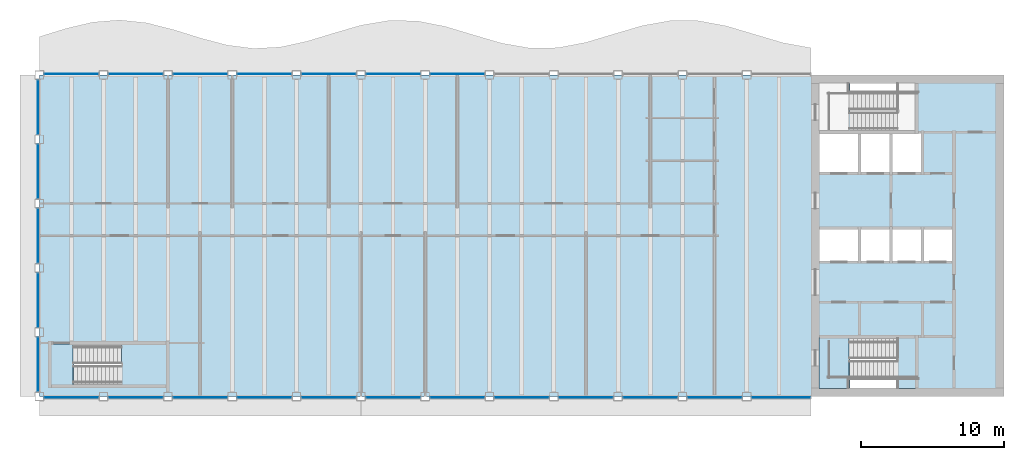
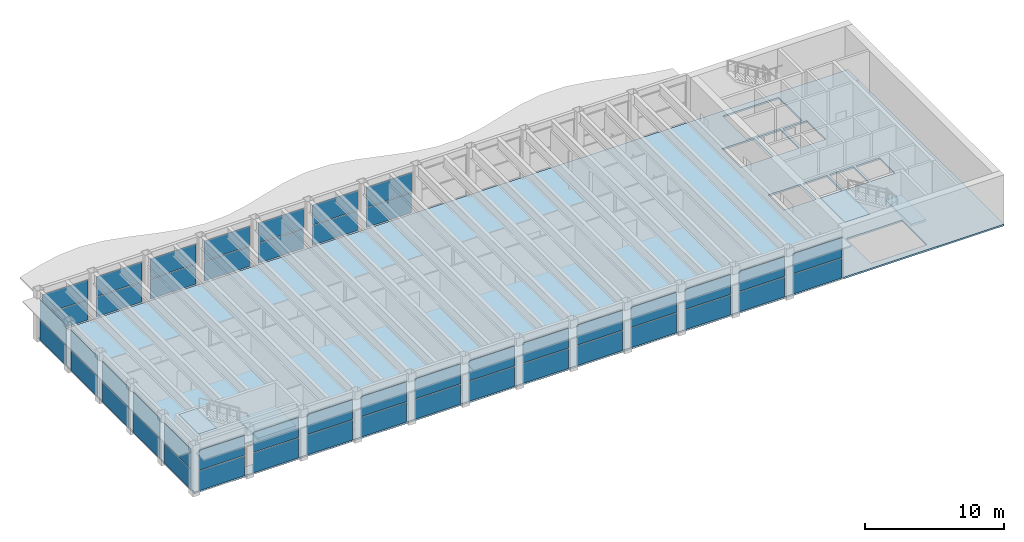
# One storey, part 7 of 15: 48 plates, 5 slabs, 26 elements without a shape of their own.
"""IFC4 building model written with IfcOpenShell, lengths in metres."""

from ifc_helpers import new_model, si_unit, direction, frame, origin, origin_2d, place, context, subcontext, project, spatial, polyline, rectangle, outline, extrude, material, layer, layer_set, type_object, element, aggregate, save


model = new_model("IFC4")

# Units and contexts
model_context = context("Model", 3, precision=1e-05, world=origin(), true_north=direction((0.0, 1.0)))
body_context = subcontext(model_context, "Body", "Model", "MODEL_VIEW")
ifc_project = project(units=[si_unit("LENGTHUNIT", "METRE"), si_unit("AREAUNIT", "SQUARE_METRE"), si_unit("VOLUMEUNIT", "CUBIC_METRE"), si_unit("PLANEANGLEUNIT", "RADIAN"), si_unit("MASSUNIT", "GRAM", prefix="KILO")], contexts=[model_context])

# Site, building, storey
site_placement = place(None, origin())
site = spatial("IfcSite", under=ifc_project, at=site_placement, CompositionType="ELEMENT")
building_placement = place(site_placement, origin())
building = spatial("IfcBuilding", under=site, at=building_placement, Name="Sennacour Bend Tower", CompositionType="ELEMENT")
storey_placement = place(building_placement, frame((0.0, 0.0, 323.0)))
storey = spatial("IfcBuildingStorey", under=building, at=storey_placement, Name="L74", CompositionType="ELEMENT", Elevation=323.0)

# Slab
ifc_material_1 = material(Name="Concrete C30/37", Category="concrete")
ifc_layer_1 = layer(ifc_material_1, 0.14990234375, Name="Concrete C30/37", Category="concrete")
ifc_layer_set_1 = layer_set([ifc_layer_1], Name="Concrete C30/37")
slab_type_1 = type_object("IfcSlabType", Name="Floor slab 150", PredefinedType="FLOOR", material=ifc_layer_set_1)
slab_1_placement = place(storey_placement, frame((0.0, 0.0, -0.14990234375)))
element("IfcSlab", 1, at=slab_1_placement, inside=storey, type_object=slab_type_1, Name="Floor slab L74-01", PredefinedType="FLOOR", context=body_context, shape_type="SweptSolid", body=[
    extrude(outline(polyline([(0.0, 22.5), (22.5, 22.5), (54.0, 22.5), (67.5, 22.5), (67.5, 0.0), (54.0, 0.0), (22.5, 0.0), (0.0, 0.0), (0.0, 22.5)]), holes=[polyline([(8.800048828125, 3.5), (2.429931640625, 3.5), (2.429931640625, 0.949951171875), (8.800048828125, 0.949951171875), (8.800048828125, 3.5)]), polyline([(61.39990234375, 4.125), (56.72998046875, 4.125), (56.72998046875, 0.550048828125), (61.39990234375, 0.550048828125), (61.39990234375, 4.125)]), polyline([(57.300048828125, 11.699951171875), (54.60009765625, 11.699951171875), (54.60009765625, 9.5), (57.300048828125, 9.5), (57.300048828125, 11.699951171875)]), polyline([(59.5, 9.5), (59.5, 11.699951171875), (57.5, 11.699951171875), (57.5, 9.5), (59.5, 9.5)]), polyline([(61.699951171875, 9.5), (61.699951171875, 11.699951171875), (59.699951171875, 11.699951171875), (59.699951171875, 9.5), (61.699951171875, 9.5)]), polyline([(63.89990234375, 11.699951171875), (61.89990234375, 11.699951171875), (61.89990234375, 9.5), (63.89990234375, 9.5), (63.89990234375, 11.699951171875)]), polyline([(57.300048828125, 18.39990234375), (54.60009765625, 18.39990234375), (54.60009765625, 15.699951171875), (57.300048828125, 15.699951171875), (57.300048828125, 18.39990234375)]), polyline([(59.5, 18.39990234375), (57.5, 18.39990234375), (57.5, 15.699951171875), (59.5, 15.699951171875), (59.5, 18.39990234375)]), polyline([(61.699951171875, 15.699951171875), (61.699951171875, 18.39990234375), (59.699951171875, 18.39990234375), (59.699951171875, 15.699951171875), (61.699951171875, 15.699951171875)]), polyline([(61.39990234375, 18.574951171875), (61.39990234375, 21.949951171875), (56.72998046875, 21.949951171875), (56.72998046875, 18.574951171875), (61.39990234375, 18.574951171875)])]), origin(), (0.0, 0.0, 1.0), 0.14990234375),
])

# Curtain wall, plates
ifc_material_2 = material(Name="Bronze anodised aluminium curtain wall with clear glass", Category="aluminium")
curtain_wall_type = type_object("IfcCurtainWallType", Name="CURTAIN WALL EXEC", PredefinedType="NOTDEFINED", material=ifc_material_2)
curtain_wall_1_placement = place(storey_placement, origin())
curtain_wall_1 = element("IfcCurtainWall", 2, at=curtain_wall_1_placement, inside=storey, type_object=curtain_wall_type, Name="Executive floor glass wall L74", PredefinedType="NOTDEFINED")
ifc_material_3 = material(Name="Clear low-emissivity glass", Category="glass")
ifc_layer_2 = layer(ifc_material_3, 0.031982421875, Name="Clear low-emissivity glass", Category="glass")
ifc_layer_set_2 = layer_set([ifc_layer_2], Name="Clear low-emissivity glass")
plate_type = type_object("IfcPlateType", Name="PNL-GLASS-IGU32", PredefinedType="CURTAIN_PANEL", material=ifc_layer_set_2)
plate_1_placement = place(storey_placement, frame((2.25, -0.074951171875, 0.06005859375), z_axis=(0.0, 0.0, 1.0), x_axis=(1.0, 0.0, 0.0)))
plate_1 = element("IfcPlate", 3, at=plate_1_placement, type_object=plate_type, Name="GW3 curtain wall panel 1.1", PredefinedType="CURTAIN_PANEL", context=body_context, shape_type="SweptSolid", body=[
    extrude(rectangle(XDim=3.780029296875, YDim=0.031982421875, at=origin_2d()), origin(), (0.0, 0.0, 1.0), 1.74609375),
])
plate_2_placement = place(storey_placement, frame((2.25, -0.074951171875, 1.865966796875), z_axis=(0.0, 0.0, 1.0), x_axis=(1.0, 0.0, 0.0)))
plate_2 = element("IfcPlate", 4, at=plate_2_placement, type_object=plate_type, Name="GW3 curtain wall panel 1.2", PredefinedType="CURTAIN_PANEL", context=body_context, shape_type="SweptSolid", body=[
    extrude(rectangle(XDim=3.780029296875, YDim=0.031982421875, at=origin_2d()), origin(), (0.0, 0.0, 1.0), 1.74609375),
])
aggregate(curtain_wall_1, [plate_1, plate_2])

curtain_wall_2_placement = place(storey_placement, origin())
curtain_wall_2 = element("IfcCurtainWall", 5, at=curtain_wall_2_placement, inside=storey, type_object=curtain_wall_type, Name="Executive floor glass wall L74", PredefinedType="NOTDEFINED")
plate_3_placement = place(storey_placement, frame((6.75, -0.074951171875, 0.06005859375), z_axis=(0.0, 0.0, 1.0), x_axis=(1.0, 0.0, 0.0)))
plate_3 = element("IfcPlate", 6, at=plate_3_placement, type_object=plate_type, Name="GW3 curtain wall panel 1.1", PredefinedType="CURTAIN_PANEL", context=body_context, shape_type="SweptSolid", body=[
    extrude(rectangle(XDim=3.780029296875, YDim=0.031982421875, at=origin_2d()), origin(), (0.0, 0.0, 1.0), 1.74609375),
])
plate_4_placement = place(storey_placement, frame((6.75, -0.074951171875, 1.865966796875), z_axis=(0.0, 0.0, 1.0), x_axis=(1.0, 0.0, 0.0)))
plate_4 = element("IfcPlate", 7, at=plate_4_placement, type_object=plate_type, Name="GW3 curtain wall panel 1.2", PredefinedType="CURTAIN_PANEL", context=body_context, shape_type="SweptSolid", body=[
    extrude(rectangle(XDim=3.780029296875, YDim=0.031982421875, at=origin_2d()), origin(), (0.0, 0.0, 1.0), 1.74609375),
])
aggregate(curtain_wall_2, [plate_3, plate_4])

curtain_wall_3_placement = place(storey_placement, origin())
curtain_wall_3 = element("IfcCurtainWall", 8, at=curtain_wall_3_placement, inside=storey, type_object=curtain_wall_type, Name="Executive floor glass wall L74", PredefinedType="NOTDEFINED")
plate_5_placement = place(storey_placement, frame((11.25, -0.074951171875, 0.06005859375), z_axis=(0.0, 0.0, 1.0), x_axis=(1.0, 0.0, 0.0)))
plate_5 = element("IfcPlate", 9, at=plate_5_placement, type_object=plate_type, Name="GW3 curtain wall panel 1.1", PredefinedType="CURTAIN_PANEL", context=body_context, shape_type="SweptSolid", body=[
    extrude(rectangle(XDim=3.780029296875, YDim=0.031982421875, at=origin_2d()), origin(), (0.0, 0.0, 1.0), 1.74609375),
])
plate_6_placement = place(storey_placement, frame((11.25, -0.074951171875, 1.865966796875), z_axis=(0.0, 0.0, 1.0), x_axis=(1.0, 0.0, 0.0)))
plate_6 = element("IfcPlate", 10, at=plate_6_placement, type_object=plate_type, Name="GW3 curtain wall panel 1.2", PredefinedType="CURTAIN_PANEL", context=body_context, shape_type="SweptSolid", body=[
    extrude(rectangle(XDim=3.780029296875, YDim=0.031982421875, at=origin_2d()), origin(), (0.0, 0.0, 1.0), 1.74609375),
])
aggregate(curtain_wall_3, [plate_5, plate_6])

curtain_wall_4_placement = place(storey_placement, origin())
curtain_wall_4 = element("IfcCurtainWall", 11, at=curtain_wall_4_placement, inside=storey, type_object=curtain_wall_type, Name="Executive floor glass wall L74", PredefinedType="NOTDEFINED")
plate_7_placement = place(storey_placement, frame((15.75, -0.074951171875, 0.06005859375), z_axis=(0.0, 0.0, 1.0), x_axis=(1.0, 0.0, 0.0)))
plate_7 = element("IfcPlate", 12, at=plate_7_placement, type_object=plate_type, Name="GW3 curtain wall panel 1.1", PredefinedType="CURTAIN_PANEL", context=body_context, shape_type="SweptSolid", body=[
    extrude(rectangle(XDim=3.780029296875, YDim=0.031982421875, at=origin_2d()), origin(), (0.0, 0.0, 1.0), 1.74609375),
])
plate_8_placement = place(storey_placement, frame((15.75, -0.074951171875, 1.865966796875), z_axis=(0.0, 0.0, 1.0), x_axis=(1.0, 0.0, 0.0)))
plate_8 = element("IfcPlate", 13, at=plate_8_placement, type_object=plate_type, Name="GW3 curtain wall panel 1.2", PredefinedType="CURTAIN_PANEL", context=body_context, shape_type="SweptSolid", body=[
    extrude(rectangle(XDim=3.780029296875, YDim=0.031982421875, at=origin_2d()), origin(), (0.0, 0.0, 1.0), 1.74609375),
])
aggregate(curtain_wall_4, [plate_7, plate_8])

curtain_wall_5_placement = place(storey_placement, origin())
curtain_wall_5 = element("IfcCurtainWall", 14, at=curtain_wall_5_placement, inside=storey, type_object=curtain_wall_type, Name="Executive floor glass wall L74", PredefinedType="NOTDEFINED")
plate_9_placement = place(storey_placement, frame((20.25, -0.074951171875, 0.06005859375), z_axis=(0.0, 0.0, 1.0), x_axis=(1.0, 0.0, 0.0)))
plate_9 = element("IfcPlate", 15, at=plate_9_placement, type_object=plate_type, Name="GW3 curtain wall panel 1.1", PredefinedType="CURTAIN_PANEL", context=body_context, shape_type="SweptSolid", body=[
    extrude(rectangle(XDim=3.780029296875, YDim=0.031982421875, at=origin_2d()), origin(), (0.0, 0.0, 1.0), 1.74609375),
])
plate_10_placement = place(storey_placement, frame((20.25, -0.074951171875, 1.865966796875), z_axis=(0.0, 0.0, 1.0), x_axis=(1.0, 0.0, 0.0)))
plate_10 = element("IfcPlate", 16, at=plate_10_placement, type_object=plate_type, Name="GW3 curtain wall panel 1.2", PredefinedType="CURTAIN_PANEL", context=body_context, shape_type="SweptSolid", body=[
    extrude(rectangle(XDim=3.780029296875, YDim=0.031982421875, at=origin_2d()), origin(), (0.0, 0.0, 1.0), 1.74609375),
])
aggregate(curtain_wall_5, [plate_9, plate_10])

curtain_wall_6_placement = place(storey_placement, origin())
curtain_wall_6 = element("IfcCurtainWall", 17, at=curtain_wall_6_placement, inside=storey, type_object=curtain_wall_type, Name="Executive floor glass wall L74", PredefinedType="NOTDEFINED")
plate_11_placement = place(storey_placement, frame((24.75, -0.074951171875, 0.06005859375), z_axis=(0.0, 0.0, 1.0), x_axis=(1.0, 0.0, 0.0)))
plate_11 = element("IfcPlate", 18, at=plate_11_placement, type_object=plate_type, Name="GW3 curtain wall panel 1.1", PredefinedType="CURTAIN_PANEL", context=body_context, shape_type="SweptSolid", body=[
    extrude(rectangle(XDim=3.780029296875, YDim=0.031982421875, at=origin_2d()), origin(), (0.0, 0.0, 1.0), 1.74609375),
])
plate_12_placement = place(storey_placement, frame((24.75, -0.074951171875, 1.865966796875), z_axis=(0.0, 0.0, 1.0), x_axis=(1.0, 0.0, 0.0)))
plate_12 = element("IfcPlate", 19, at=plate_12_placement, type_object=plate_type, Name="GW3 curtain wall panel 1.2", PredefinedType="CURTAIN_PANEL", context=body_context, shape_type="SweptSolid", body=[
    extrude(rectangle(XDim=3.780029296875, YDim=0.031982421875, at=origin_2d()), origin(), (0.0, 0.0, 1.0), 1.74609375),
])
aggregate(curtain_wall_6, [plate_11, plate_12])

curtain_wall_7_placement = place(storey_placement, origin())
curtain_wall_7 = element("IfcCurtainWall", 20, at=curtain_wall_7_placement, inside=storey, type_object=curtain_wall_type, Name="Executive floor glass wall L74", PredefinedType="NOTDEFINED")
plate_13_placement = place(storey_placement, frame((29.25, -0.074951171875, 0.06005859375), z_axis=(0.0, 0.0, 1.0), x_axis=(1.0, 0.0, 0.0)))
plate_13 = element("IfcPlate", 21, at=plate_13_placement, type_object=plate_type, Name="GW3 curtain wall panel 1.1", PredefinedType="CURTAIN_PANEL", context=body_context, shape_type="SweptSolid", body=[
    extrude(rectangle(XDim=3.780029296875, YDim=0.031982421875, at=origin_2d()), origin(), (0.0, 0.0, 1.0), 1.74609375),
])
plate_14_placement = place(storey_placement, frame((29.25, -0.074951171875, 1.865966796875), z_axis=(0.0, 0.0, 1.0), x_axis=(1.0, 0.0, 0.0)))
plate_14 = element("IfcPlate", 22, at=plate_14_placement, type_object=plate_type, Name="GW3 curtain wall panel 1.2", PredefinedType="CURTAIN_PANEL", context=body_context, shape_type="SweptSolid", body=[
    extrude(rectangle(XDim=3.780029296875, YDim=0.031982421875, at=origin_2d()), origin(), (0.0, 0.0, 1.0), 1.74609375),
])
aggregate(curtain_wall_7, [plate_13, plate_14])

curtain_wall_8_placement = place(storey_placement, origin())
curtain_wall_8 = element("IfcCurtainWall", 23, at=curtain_wall_8_placement, inside=storey, type_object=curtain_wall_type, Name="Executive floor glass wall L74", PredefinedType="NOTDEFINED")
plate_15_placement = place(storey_placement, frame((33.75, -0.074951171875, 0.06005859375), z_axis=(0.0, 0.0, 1.0), x_axis=(1.0, 0.0, 0.0)))
plate_15 = element("IfcPlate", 24, at=plate_15_placement, type_object=plate_type, Name="GW3 curtain wall panel 1.1", PredefinedType="CURTAIN_PANEL", context=body_context, shape_type="SweptSolid", body=[
    extrude(rectangle(XDim=3.780029296875, YDim=0.031982421875, at=origin_2d()), origin(), (0.0, 0.0, 1.0), 1.74609375),
])
plate_16_placement = place(storey_placement, frame((33.75, -0.074951171875, 1.865966796875), z_axis=(0.0, 0.0, 1.0), x_axis=(1.0, 0.0, 0.0)))
plate_16 = element("IfcPlate", 25, at=plate_16_placement, type_object=plate_type, Name="GW3 curtain wall panel 1.2", PredefinedType="CURTAIN_PANEL", context=body_context, shape_type="SweptSolid", body=[
    extrude(rectangle(XDim=3.780029296875, YDim=0.031982421875, at=origin_2d()), origin(), (0.0, 0.0, 1.0), 1.74609375),
])
aggregate(curtain_wall_8, [plate_15, plate_16])

curtain_wall_9_placement = place(storey_placement, origin())
curtain_wall_9 = element("IfcCurtainWall", 26, at=curtain_wall_9_placement, inside=storey, type_object=curtain_wall_type, Name="Executive floor glass wall L74", PredefinedType="NOTDEFINED")
plate_17_placement = place(storey_placement, frame((38.25, -0.074951171875, 0.06005859375), z_axis=(0.0, 0.0, 1.0), x_axis=(1.0, 0.0, 0.0)))
plate_17 = element("IfcPlate", 27, at=plate_17_placement, type_object=plate_type, Name="GW3 curtain wall panel 1.1", PredefinedType="CURTAIN_PANEL", context=body_context, shape_type="SweptSolid", body=[
    extrude(rectangle(XDim=3.780029296875, YDim=0.031982421875, at=origin_2d()), origin(), (0.0, 0.0, 1.0), 1.74609375),
])
plate_18_placement = place(storey_placement, frame((38.25, -0.074951171875, 1.865966796875), z_axis=(0.0, 0.0, 1.0), x_axis=(1.0, 0.0, 0.0)))
plate_18 = element("IfcPlate", 28, at=plate_18_placement, type_object=plate_type, Name="GW3 curtain wall panel 1.2", PredefinedType="CURTAIN_PANEL", context=body_context, shape_type="SweptSolid", body=[
    extrude(rectangle(XDim=3.780029296875, YDim=0.031982421875, at=origin_2d()), origin(), (0.0, 0.0, 1.0), 1.74609375),
])
aggregate(curtain_wall_9, [plate_17, plate_18])

curtain_wall_10_placement = place(storey_placement, origin())
curtain_wall_10 = element("IfcCurtainWall", 29, at=curtain_wall_10_placement, inside=storey, type_object=curtain_wall_type, Name="Executive floor glass wall L74", PredefinedType="NOTDEFINED")
plate_19_placement = place(storey_placement, frame((42.75, -0.074951171875, 0.06005859375), z_axis=(0.0, 0.0, 1.0), x_axis=(1.0, 0.0, 0.0)))
plate_19 = element("IfcPlate", 30, at=plate_19_placement, type_object=plate_type, Name="GW3 curtain wall panel 1.1", PredefinedType="CURTAIN_PANEL", context=body_context, shape_type="SweptSolid", body=[
    extrude(rectangle(XDim=3.780029296875, YDim=0.031982421875, at=origin_2d()), origin(), (0.0, 0.0, 1.0), 1.74609375),
])
plate_20_placement = place(storey_placement, frame((42.75, -0.074951171875, 1.865966796875), z_axis=(0.0, 0.0, 1.0), x_axis=(1.0, 0.0, 0.0)))
plate_20 = element("IfcPlate", 31, at=plate_20_placement, type_object=plate_type, Name="GW3 curtain wall panel 1.2", PredefinedType="CURTAIN_PANEL", context=body_context, shape_type="SweptSolid", body=[
    extrude(rectangle(XDim=3.780029296875, YDim=0.031982421875, at=origin_2d()), origin(), (0.0, 0.0, 1.0), 1.74609375),
])
aggregate(curtain_wall_10, [plate_19, plate_20])

curtain_wall_11_placement = place(storey_placement, origin())
curtain_wall_11 = element("IfcCurtainWall", 32, at=curtain_wall_11_placement, inside=storey, type_object=curtain_wall_type, Name="Executive floor glass wall L74", PredefinedType="NOTDEFINED")
plate_21_placement = place(storey_placement, frame((47.25, -0.074951171875, 0.06005859375), z_axis=(0.0, 0.0, 1.0), x_axis=(1.0, 0.0, 0.0)))
plate_21 = element("IfcPlate", 33, at=plate_21_placement, type_object=plate_type, Name="GW3 curtain wall panel 1.1", PredefinedType="CURTAIN_PANEL", context=body_context, shape_type="SweptSolid", body=[
    extrude(rectangle(XDim=3.780029296875, YDim=0.031982421875, at=origin_2d()), origin(), (0.0, 0.0, 1.0), 1.74609375),
])
plate_22_placement = place(storey_placement, frame((47.25, -0.074951171875, 1.865966796875), z_axis=(0.0, 0.0, 1.0), x_axis=(1.0, 0.0, 0.0)))
plate_22 = element("IfcPlate", 34, at=plate_22_placement, type_object=plate_type, Name="GW3 curtain wall panel 1.2", PredefinedType="CURTAIN_PANEL", context=body_context, shape_type="SweptSolid", body=[
    extrude(rectangle(XDim=3.780029296875, YDim=0.031982421875, at=origin_2d()), origin(), (0.0, 0.0, 1.0), 1.74609375),
])
aggregate(curtain_wall_11, [plate_21, plate_22])

curtain_wall_12_placement = place(storey_placement, origin())
curtain_wall_12 = element("IfcCurtainWall", 35, at=curtain_wall_12_placement, inside=storey, type_object=curtain_wall_type, Name="Executive floor glass wall L74", PredefinedType="NOTDEFINED")
plate_23_placement = place(storey_placement, frame((51.89990234375, -0.074951171875, 0.06005859375), z_axis=(0.0, 0.0, 1.0), x_axis=(1.0, 0.0, 0.0)))
plate_23 = element("IfcPlate", 36, at=plate_23_placement, type_object=plate_type, Name="GW3 curtain wall panel 1.1", PredefinedType="CURTAIN_PANEL", context=body_context, shape_type="SweptSolid", body=[
    extrude(rectangle(XDim=4.080078125, YDim=0.031982421875, at=origin_2d()), origin(), (0.0, 0.0, 1.0), 1.74609375),
])
plate_24_placement = place(storey_placement, frame((51.89990234375, -0.074951171875, 1.865966796875), z_axis=(0.0, 0.0, 1.0), x_axis=(1.0, 0.0, 0.0)))
plate_24 = element("IfcPlate", 37, at=plate_24_placement, type_object=plate_type, Name="GW3 curtain wall panel 1.2", PredefinedType="CURTAIN_PANEL", context=body_context, shape_type="SweptSolid", body=[
    extrude(rectangle(XDim=4.080078125, YDim=0.031982421875, at=origin_2d()), origin(), (0.0, 0.0, 1.0), 1.74609375),
])
aggregate(curtain_wall_12, [plate_23, plate_24])

curtain_wall_13_placement = place(storey_placement, origin())
curtain_wall_13 = element("IfcCurtainWall", 38, at=curtain_wall_13_placement, inside=storey, type_object=curtain_wall_type, Name="Executive floor glass wall L74", PredefinedType="NOTDEFINED")
plate_25_placement = place(storey_placement, frame((29.25, 22.574951171875, 0.06005859375), z_axis=(0.0, 0.0, 1.0), x_axis=(-1.0, 0.0, 0.0)))
plate_25 = element("IfcPlate", 39, at=plate_25_placement, type_object=plate_type, Name="GW3 curtain wall panel 1.1", PredefinedType="CURTAIN_PANEL", context=body_context, shape_type="SweptSolid", body=[
    extrude(rectangle(XDim=3.780029296875, YDim=0.031982421875, at=origin_2d()), origin(), (0.0, 0.0, 1.0), 1.74609375),
])
plate_26_placement = place(storey_placement, frame((29.25, 22.574951171875, 1.865966796875), z_axis=(0.0, 0.0, 1.0), x_axis=(-1.0, 0.0, 0.0)))
plate_26 = element("IfcPlate", 40, at=plate_26_placement, type_object=plate_type, Name="GW3 curtain wall panel 1.2", PredefinedType="CURTAIN_PANEL", context=body_context, shape_type="SweptSolid", body=[
    extrude(rectangle(XDim=3.780029296875, YDim=0.031982421875, at=origin_2d()), origin(), (0.0, 0.0, 1.0), 1.74609375),
])
aggregate(curtain_wall_13, [plate_25, plate_26])

curtain_wall_14_placement = place(storey_placement, origin())
curtain_wall_14 = element("IfcCurtainWall", 41, at=curtain_wall_14_placement, inside=storey, type_object=curtain_wall_type, Name="Executive floor glass wall L74", PredefinedType="NOTDEFINED")
plate_27_placement = place(storey_placement, frame((24.75, 22.574951171875, 0.06005859375), z_axis=(0.0, 0.0, 1.0), x_axis=(-1.0, 0.0, 0.0)))
plate_27 = element("IfcPlate", 42, at=plate_27_placement, type_object=plate_type, Name="GW3 curtain wall panel 1.1", PredefinedType="CURTAIN_PANEL", context=body_context, shape_type="SweptSolid", body=[
    extrude(rectangle(XDim=3.780029296875, YDim=0.031982421875, at=origin_2d()), origin(), (0.0, 0.0, 1.0), 1.74609375),
])
plate_28_placement = place(storey_placement, frame((24.75, 22.574951171875, 1.865966796875), z_axis=(0.0, 0.0, 1.0), x_axis=(-1.0, 0.0, 0.0)))
plate_28 = element("IfcPlate", 43, at=plate_28_placement, type_object=plate_type, Name="GW3 curtain wall panel 1.2", PredefinedType="CURTAIN_PANEL", context=body_context, shape_type="SweptSolid", body=[
    extrude(rectangle(XDim=3.780029296875, YDim=0.031982421875, at=origin_2d()), origin(), (0.0, 0.0, 1.0), 1.74609375),
])
aggregate(curtain_wall_14, [plate_27, plate_28])

curtain_wall_15_placement = place(storey_placement, origin())
curtain_wall_15 = element("IfcCurtainWall", 44, at=curtain_wall_15_placement, inside=storey, type_object=curtain_wall_type, Name="Executive floor glass wall L74", PredefinedType="NOTDEFINED")
plate_29_placement = place(storey_placement, frame((20.25, 22.574951171875, 0.06005859375), z_axis=(0.0, 0.0, 1.0), x_axis=(-1.0, 0.0, 0.0)))
plate_29 = element("IfcPlate", 45, at=plate_29_placement, type_object=plate_type, Name="GW3 curtain wall panel 1.1", PredefinedType="CURTAIN_PANEL", context=body_context, shape_type="SweptSolid", body=[
    extrude(rectangle(XDim=3.780029296875, YDim=0.031982421875, at=origin_2d()), origin(), (0.0, 0.0, 1.0), 1.74609375),
])
plate_30_placement = place(storey_placement, frame((20.25, 22.574951171875, 1.865966796875), z_axis=(0.0, 0.0, 1.0), x_axis=(-1.0, 0.0, 0.0)))
plate_30 = element("IfcPlate", 46, at=plate_30_placement, type_object=plate_type, Name="GW3 curtain wall panel 1.2", PredefinedType="CURTAIN_PANEL", context=body_context, shape_type="SweptSolid", body=[
    extrude(rectangle(XDim=3.780029296875, YDim=0.031982421875, at=origin_2d()), origin(), (0.0, 0.0, 1.0), 1.74609375),
])
aggregate(curtain_wall_15, [plate_29, plate_30])

curtain_wall_16_placement = place(storey_placement, origin())
curtain_wall_16 = element("IfcCurtainWall", 47, at=curtain_wall_16_placement, inside=storey, type_object=curtain_wall_type, Name="Executive floor glass wall L74", PredefinedType="NOTDEFINED")
plate_31_placement = place(storey_placement, frame((15.75, 22.574951171875, 0.06005859375), z_axis=(0.0, 0.0, 1.0), x_axis=(-1.0, 0.0, 0.0)))
plate_31 = element("IfcPlate", 48, at=plate_31_placement, type_object=plate_type, Name="GW3 curtain wall panel 1.1", PredefinedType="CURTAIN_PANEL", context=body_context, shape_type="SweptSolid", body=[
    extrude(rectangle(XDim=3.780029296875, YDim=0.031982421875, at=origin_2d()), origin(), (0.0, 0.0, 1.0), 1.74609375),
])
plate_32_placement = place(storey_placement, frame((15.75, 22.574951171875, 1.865966796875), z_axis=(0.0, 0.0, 1.0), x_axis=(-1.0, 0.0, 0.0)))
plate_32 = element("IfcPlate", 49, at=plate_32_placement, type_object=plate_type, Name="GW3 curtain wall panel 1.2", PredefinedType="CURTAIN_PANEL", context=body_context, shape_type="SweptSolid", body=[
    extrude(rectangle(XDim=3.780029296875, YDim=0.031982421875, at=origin_2d()), origin(), (0.0, 0.0, 1.0), 1.74609375),
])
aggregate(curtain_wall_16, [plate_31, plate_32])

curtain_wall_17_placement = place(storey_placement, origin())
curtain_wall_17 = element("IfcCurtainWall", 50, at=curtain_wall_17_placement, inside=storey, type_object=curtain_wall_type, Name="Executive floor glass wall L74", PredefinedType="NOTDEFINED")
plate_33_placement = place(storey_placement, frame((11.25, 22.574951171875, 0.06005859375), z_axis=(0.0, 0.0, 1.0), x_axis=(-1.0, 0.0, 0.0)))
plate_33 = element("IfcPlate", 51, at=plate_33_placement, type_object=plate_type, Name="GW3 curtain wall panel 1.1", PredefinedType="CURTAIN_PANEL", context=body_context, shape_type="SweptSolid", body=[
    extrude(rectangle(XDim=3.780029296875, YDim=0.031982421875, at=origin_2d()), origin(), (0.0, 0.0, 1.0), 1.74609375),
])
plate_34_placement = place(storey_placement, frame((11.25, 22.574951171875, 1.865966796875), z_axis=(0.0, 0.0, 1.0), x_axis=(-1.0, 0.0, 0.0)))
plate_34 = element("IfcPlate", 52, at=plate_34_placement, type_object=plate_type, Name="GW3 curtain wall panel 1.2", PredefinedType="CURTAIN_PANEL", context=body_context, shape_type="SweptSolid", body=[
    extrude(rectangle(XDim=3.780029296875, YDim=0.031982421875, at=origin_2d()), origin(), (0.0, 0.0, 1.0), 1.74609375),
])
aggregate(curtain_wall_17, [plate_33, plate_34])

curtain_wall_18_placement = place(storey_placement, origin())
curtain_wall_18 = element("IfcCurtainWall", 53, at=curtain_wall_18_placement, inside=storey, type_object=curtain_wall_type, Name="Executive floor glass wall L74", PredefinedType="NOTDEFINED")
plate_35_placement = place(storey_placement, frame((6.75, 22.574951171875, 0.06005859375), z_axis=(0.0, 0.0, 1.0), x_axis=(-1.0, 0.0, 0.0)))
plate_35 = element("IfcPlate", 54, at=plate_35_placement, type_object=plate_type, Name="GW3 curtain wall panel 1.1", PredefinedType="CURTAIN_PANEL", context=body_context, shape_type="SweptSolid", body=[
    extrude(rectangle(XDim=3.780029296875, YDim=0.031982421875, at=origin_2d()), origin(), (0.0, 0.0, 1.0), 1.74609375),
])
plate_36_placement = place(storey_placement, frame((6.75, 22.574951171875, 1.865966796875), z_axis=(0.0, 0.0, 1.0), x_axis=(-1.0, 0.0, 0.0)))
plate_36 = element("IfcPlate", 55, at=plate_36_placement, type_object=plate_type, Name="GW3 curtain wall panel 1.2", PredefinedType="CURTAIN_PANEL", context=body_context, shape_type="SweptSolid", body=[
    extrude(rectangle(XDim=3.780029296875, YDim=0.031982421875, at=origin_2d()), origin(), (0.0, 0.0, 1.0), 1.74609375),
])
aggregate(curtain_wall_18, [plate_35, plate_36])

curtain_wall_19_placement = place(storey_placement, origin())
curtain_wall_19 = element("IfcCurtainWall", 56, at=curtain_wall_19_placement, inside=storey, type_object=curtain_wall_type, Name="Executive floor glass wall L74", PredefinedType="NOTDEFINED")
plate_37_placement = place(storey_placement, frame((2.25, 22.574951171875, 0.06005859375), z_axis=(0.0, 0.0, 1.0), x_axis=(-1.0, 0.0, 0.0)))
plate_37 = element("IfcPlate", 57, at=plate_37_placement, type_object=plate_type, Name="GW3 curtain wall panel 1.1", PredefinedType="CURTAIN_PANEL", context=body_context, shape_type="SweptSolid", body=[
    extrude(rectangle(XDim=3.780029296875, YDim=0.031982421875, at=origin_2d()), origin(), (0.0, 0.0, 1.0), 1.74609375),
])
plate_38_placement = place(storey_placement, frame((2.25, 22.574951171875, 1.865966796875), z_axis=(0.0, 0.0, 1.0), x_axis=(-1.0, 0.0, 0.0)))
plate_38 = element("IfcPlate", 58, at=plate_38_placement, type_object=plate_type, Name="GW3 curtain wall panel 1.2", PredefinedType="CURTAIN_PANEL", context=body_context, shape_type="SweptSolid", body=[
    extrude(rectangle(XDim=3.780029296875, YDim=0.031982421875, at=origin_2d()), origin(), (0.0, 0.0, 1.0), 1.74609375),
])
aggregate(curtain_wall_19, [plate_37, plate_38])

curtain_wall_20_placement = place(storey_placement, origin())
curtain_wall_20 = element("IfcCurtainWall", 59, at=curtain_wall_20_placement, inside=storey, type_object=curtain_wall_type, Name="Executive floor glass wall L74", PredefinedType="NOTDEFINED")
plate_39_placement = place(storey_placement, frame((-0.074951171875, 20.25, 0.06005859375), z_axis=(0.0, 0.0, 1.0), x_axis=(0.0, -1.0, 0.0)))
plate_39 = element("IfcPlate", 60, at=plate_39_placement, type_object=plate_type, Name="GW3 curtain wall panel 1.1", PredefinedType="CURTAIN_PANEL", context=body_context, shape_type="SweptSolid", body=[
    extrude(rectangle(XDim=3.780029296875, YDim=0.031982421875, at=origin_2d()), origin(), (0.0, 0.0, 1.0), 1.74609375),
])
plate_40_placement = place(storey_placement, frame((-0.074951171875, 20.25, 1.865966796875), z_axis=(0.0, 0.0, 1.0), x_axis=(0.0, -1.0, 0.0)))
plate_40 = element("IfcPlate", 61, at=plate_40_placement, type_object=plate_type, Name="GW3 curtain wall panel 1.2", PredefinedType="CURTAIN_PANEL", context=body_context, shape_type="SweptSolid", body=[
    extrude(rectangle(XDim=3.780029296875, YDim=0.031982421875, at=origin_2d()), origin(), (0.0, 0.0, 1.0), 1.74609375),
])
aggregate(curtain_wall_20, [plate_39, plate_40])

curtain_wall_21_placement = place(storey_placement, origin())
curtain_wall_21 = element("IfcCurtainWall", 62, at=curtain_wall_21_placement, inside=storey, type_object=curtain_wall_type, Name="Executive floor glass wall L74", PredefinedType="NOTDEFINED")
plate_41_placement = place(storey_placement, frame((-0.074951171875, 15.75, 0.06005859375), z_axis=(0.0, 0.0, 1.0), x_axis=(0.0, -1.0, 0.0)))
plate_41 = element("IfcPlate", 63, at=plate_41_placement, type_object=plate_type, Name="GW3 curtain wall panel 1.1", PredefinedType="CURTAIN_PANEL", context=body_context, shape_type="SweptSolid", body=[
    extrude(rectangle(XDim=3.780029296875, YDim=0.031982421875, at=origin_2d()), origin(), (0.0, 0.0, 1.0), 1.74609375),
])
plate_42_placement = place(storey_placement, frame((-0.074951171875, 15.75, 1.865966796875), z_axis=(0.0, 0.0, 1.0), x_axis=(0.0, -1.0, 0.0)))
plate_42 = element("IfcPlate", 64, at=plate_42_placement, type_object=plate_type, Name="GW3 curtain wall panel 1.2", PredefinedType="CURTAIN_PANEL", context=body_context, shape_type="SweptSolid", body=[
    extrude(rectangle(XDim=3.780029296875, YDim=0.031982421875, at=origin_2d()), origin(), (0.0, 0.0, 1.0), 1.74609375),
])
aggregate(curtain_wall_21, [plate_41, plate_42])

curtain_wall_22_placement = place(storey_placement, origin())
curtain_wall_22 = element("IfcCurtainWall", 65, at=curtain_wall_22_placement, inside=storey, type_object=curtain_wall_type, Name="Executive floor glass wall L74", PredefinedType="NOTDEFINED")
plate_43_placement = place(storey_placement, frame((-0.074951171875, 11.25, 0.06005859375), z_axis=(0.0, 0.0, 1.0), x_axis=(0.0, -1.0, 0.0)))
plate_43 = element("IfcPlate", 66, at=plate_43_placement, type_object=plate_type, Name="GW3 curtain wall panel 1.1", PredefinedType="CURTAIN_PANEL", context=body_context, shape_type="SweptSolid", body=[
    extrude(rectangle(XDim=3.780029296875, YDim=0.031982421875, at=origin_2d()), origin(), (0.0, 0.0, 1.0), 1.74609375),
])
plate_44_placement = place(storey_placement, frame((-0.074951171875, 11.25, 1.865966796875), z_axis=(0.0, 0.0, 1.0), x_axis=(0.0, -1.0, 0.0)))
plate_44 = element("IfcPlate", 67, at=plate_44_placement, type_object=plate_type, Name="GW3 curtain wall panel 1.2", PredefinedType="CURTAIN_PANEL", context=body_context, shape_type="SweptSolid", body=[
    extrude(rectangle(XDim=3.780029296875, YDim=0.031982421875, at=origin_2d()), origin(), (0.0, 0.0, 1.0), 1.74609375),
])
aggregate(curtain_wall_22, [plate_43, plate_44])

curtain_wall_23_placement = place(storey_placement, origin())
curtain_wall_23 = element("IfcCurtainWall", 68, at=curtain_wall_23_placement, inside=storey, type_object=curtain_wall_type, Name="Executive floor glass wall L74", PredefinedType="NOTDEFINED")
plate_45_placement = place(storey_placement, frame((-0.074951171875, 6.75, 0.06005859375), z_axis=(0.0, 0.0, 1.0), x_axis=(0.0, -1.0, 0.0)))
plate_45 = element("IfcPlate", 69, at=plate_45_placement, type_object=plate_type, Name="GW3 curtain wall panel 1.1", PredefinedType="CURTAIN_PANEL", context=body_context, shape_type="SweptSolid", body=[
    extrude(rectangle(XDim=3.780029296875, YDim=0.031982421875, at=origin_2d()), origin(), (0.0, 0.0, 1.0), 1.74609375),
])
plate_46_placement = place(storey_placement, frame((-0.074951171875, 6.75, 1.865966796875), z_axis=(0.0, 0.0, 1.0), x_axis=(0.0, -1.0, 0.0)))
plate_46 = element("IfcPlate", 70, at=plate_46_placement, type_object=plate_type, Name="GW3 curtain wall panel 1.2", PredefinedType="CURTAIN_PANEL", context=body_context, shape_type="SweptSolid", body=[
    extrude(rectangle(XDim=3.780029296875, YDim=0.031982421875, at=origin_2d()), origin(), (0.0, 0.0, 1.0), 1.74609375),
])
aggregate(curtain_wall_23, [plate_45, plate_46])

curtain_wall_24_placement = place(storey_placement, origin())
curtain_wall_24 = element("IfcCurtainWall", 71, at=curtain_wall_24_placement, inside=storey, type_object=curtain_wall_type, Name="Executive floor glass wall L74", PredefinedType="NOTDEFINED")
plate_47_placement = place(storey_placement, frame((-0.074951171875, 2.25, 0.06005859375), z_axis=(0.0, 0.0, 1.0), x_axis=(0.0, -1.0, 0.0)))
plate_47 = element("IfcPlate", 72, at=plate_47_placement, type_object=plate_type, Name="GW3 curtain wall panel 1.1", PredefinedType="CURTAIN_PANEL", context=body_context, shape_type="SweptSolid", body=[
    extrude(rectangle(XDim=3.780029296875, YDim=0.031982421875, at=origin_2d()), origin(), (0.0, 0.0, 1.0), 1.74609375),
])
plate_48_placement = place(storey_placement, frame((-0.074951171875, 2.25, 1.865966796875), z_axis=(0.0, 0.0, 1.0), x_axis=(0.0, -1.0, 0.0)))
plate_48 = element("IfcPlate", 73, at=plate_48_placement, type_object=plate_type, Name="GW3 curtain wall panel 1.2", PredefinedType="CURTAIN_PANEL", context=body_context, shape_type="SweptSolid", body=[
    extrude(rectangle(XDim=3.780029296875, YDim=0.031982421875, at=origin_2d()), origin(), (0.0, 0.0, 1.0), 1.74609375),
])
aggregate(curtain_wall_24, [plate_47, plate_48])

# Slabs
ifc_material_4 = material(Name="Concrete C40/50", Category="concrete")
ifc_layer_3 = layer(ifc_material_4, 0.034912109375, Name="Concrete C40/50", Category="concrete")
ifc_layer_set_3 = layer_set([ifc_layer_3], Name="Concrete C40/50")
slab_type_2 = type_object("IfcSlabType", Name="Stair arrival nib 35", PredefinedType="FLOOR", material=ifc_layer_set_3)
slab_2_placement = place(storey_placement, frame((0.0, 0.0, 4.315185546875)))
element("IfcSlab", 74, at=slab_2_placement, inside=storey, type_object=slab_type_2, Name="L74 SA1 stair arrival nib", PredefinedType="FLOOR", context=body_context, shape_type="SweptSolid", body=[
    extrude(outline(polyline([(56.64208984375, 4.125), (54.550048828125, 4.125), (54.550048828125, 0.550048828125), (56.64208984375, 0.550048828125), (56.64208984375, 4.125)])), origin(), (0.0, 0.0, 1.0), 0.034912109375),
])
slab_3_placement = place(storey_placement, frame((0.0, 0.0, 4.315185546875)))
element("IfcSlab", 75, at=slab_3_placement, inside=storey, type_object=slab_type_2, Name="L74 SK1 stair arrival nib", PredefinedType="FLOOR", context=body_context, shape_type="SweptSolid", body=[
    extrude(outline(polyline([(2.342041015625, 3.675048828125), (0.800048828125, 3.675048828125), (0.800048828125, 0.800048828125), (2.342041015625, 0.800048828125), (2.342041015625, 3.675048828125)])), origin(), (0.0, 0.0, 1.0), 0.034912109375),
])

# Stair, slab
stair_type = type_object("IfcStairType", Name="ST-DOGLEG", PredefinedType="HALF_TURN_STAIR", material=ifc_material_4)
stair_1_placement = place(storey_placement, origin())
stair_1 = element("IfcStair", 76, at=stair_1_placement, inside=storey, type_object=stair_type, Name="L74 Exit stair A1", PredefinedType="HALF_TURN_STAIR")
ifc_layer_4 = layer(ifc_material_4, 0.199951171875, Name="Concrete C40/50", Category="concrete")
ifc_layer_set_4 = layer_set([ifc_layer_4], Name="Concrete C40/50")
slab_type_3 = type_object("IfcSlabType", Name="Stair landing 200", PredefinedType="LANDING", material=ifc_layer_set_4)
slab_4_placement = place(storey_placement, frame((0.0, 0.0, 2.050048828125)))
slab_4 = element("IfcSlab", 77, at=slab_4_placement, type_object=slab_type_3, Name="SA1 landing 1", PredefinedType="LANDING", context=body_context, shape_type="SweptSolid", body=[
    extrude(outline(polyline([(60.06005859375, 0.550048828125), (61.324951171875, 0.550048828125), (61.324951171875, 4.125), (60.06005859375, 4.125), (60.06005859375, 0.550048828125)])), origin(), (0.0, 0.0, 1.0), 0.199951171875),
])
aggregate(stair_1, [slab_4])

stair_2_placement = place(storey_placement, origin())
stair_2 = element("IfcStair", 78, at=stair_2_placement, inside=storey, type_object=stair_type, Name="L74 Exit stair K1", PredefinedType="HALF_TURN_STAIR")
slab_5_placement = place(storey_placement, frame((0.0, 0.0, 2.050048828125)))
slab_5 = element("IfcSlab", 79, at=slab_5_placement, type_object=slab_type_3, Name="SK1 landing 1", PredefinedType="LANDING", context=body_context, shape_type="SweptSolid", body=[
    extrude(outline(polyline([(5.760009765625, 0.800048828125), (8.925048828125, 0.800048828125), (8.925048828125, 3.675048828125), (5.760009765625, 3.675048828125), (5.760009765625, 0.800048828125)])), origin(), (0.0, 0.0, 1.0), 0.199951171875),
])
aggregate(stair_2, [slab_5])

save(model, "model.ifc")
